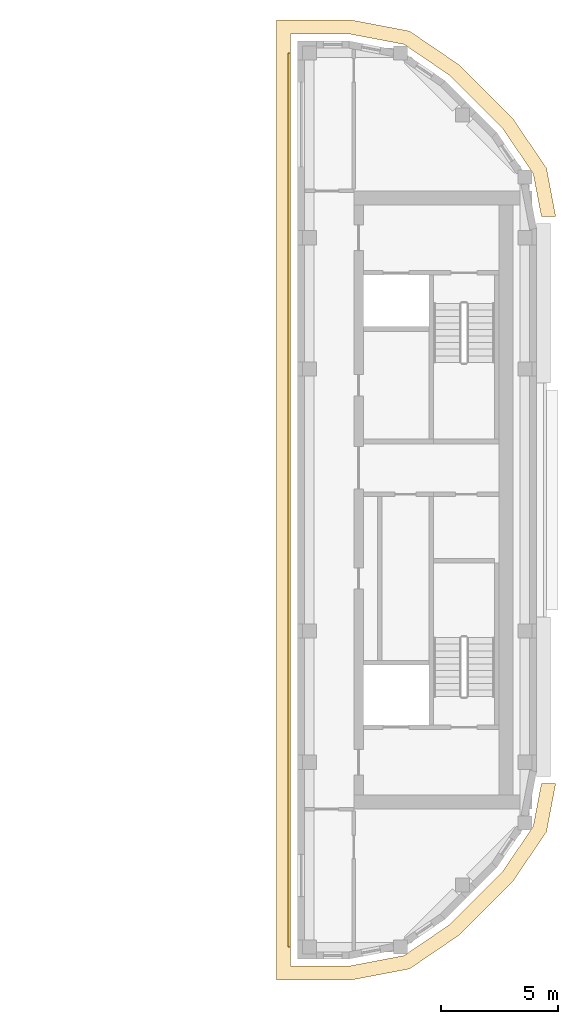
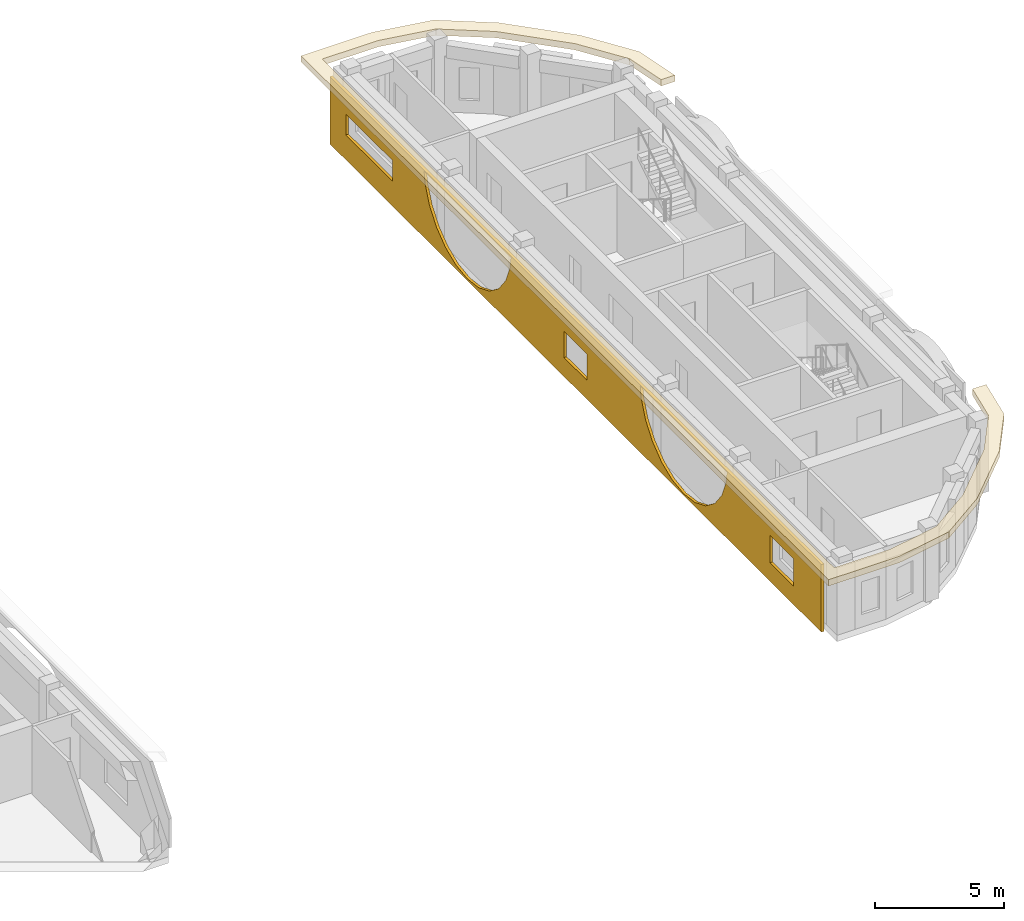
# One storey, part 10 of 12: 2 coverings.
"""IFC4 building model written with IfcOpenShell, lengths in metres."""

from ifc_helpers import new_model, si_unit, direction, frame, origin, place, context, subcontext, project, spatial, polyline, outline, extrude, material, layer, layer_set, type_object, element, save


model = new_model("IFC4")

# Units and contexts
model_context = context("Model", 3, precision=1e-05, world=origin(), true_north=direction((0.0, 1.0)))
body_context = subcontext(model_context, "Body", "Model", "MODEL_VIEW")
ifc_project = project(units=[si_unit("LENGTHUNIT", "METRE"), si_unit("AREAUNIT", "SQUARE_METRE"), si_unit("VOLUMEUNIT", "CUBIC_METRE"), si_unit("PLANEANGLEUNIT", "RADIAN"), si_unit("MASSUNIT", "GRAM", prefix="KILO")], contexts=[model_context])

# Site, building, storey
site_placement = place(None, origin())
site = spatial("IfcSite", under=ifc_project, at=site_placement, CompositionType="ELEMENT")
building_placement = place(site_placement, origin())
building = spatial("IfcBuilding", under=site, at=building_placement, Name="Kiln Ring Residences", CompositionType="ELEMENT")
storey_placement = place(building_placement, frame((0.0, 0.0, 306.89990234375)))
storey = spatial("IfcBuildingStorey", under=building, at=storey_placement, Name="L79 Crown", CompositionType="ELEMENT", Elevation=306.89990234375)

# Coverings
ifc_material_1 = material(Name="Brick masonry, dark clay brick", Category="masonry")
ifc_layer_1 = layer(ifc_material_1, 0.1201171875)
ifc_layer_set_1 = layer_set([ifc_layer_1], Name="RAINSCREEN PANEL 120")
covering_type_1 = type_object("IfcCoveringType", Name="RAINSCREEN PANEL 120", PredefinedType="CLADDING", material=ifc_layer_set_1)
covering_1_placement = place(storey_placement, frame((14.639892578125, 19.10009765625, 0.0), z_axis=(0.0, 0.0, 1.0), x_axis=(0.0, -1.0, 0.0)))
element("IfcCovering", 1, at=covering_1_placement, inside=storey, type_object=covering_type_1, Name="RAINSCREEN L79 Crown", PredefinedType="CLADDING", context=body_context, shape_type="SweptSolid", body=[
    extrude(outline(polyline([(0.0, 0.0), (38.199951171875, 0.0), (38.199951171875, 3.2001953125), (0.0, 3.2001953125), (0.0, 0.0)]), holes=[polyline([(18.199951171875, 0.900146484375), (20.0, 0.900146484375), (20.0, 2.150146484375), (18.199951171875, 2.150146484375), (18.199951171875, 0.900146484375)]), polyline([(34.217529296875, 0.880126953125), (36.0576171875, 0.880126953125), (36.0576171875, 2.170166015625), (34.217529296875, 2.170166015625), (34.217529296875, 0.880126953125)]), polyline([(1.242431640625, 1.18017578125), (4.882568359375, 1.18017578125), (4.882568359375, 2.170166015625), (1.242431640625, 2.170166015625), (1.242431640625, 1.18017578125)]), polyline([(12.409912109375, 0.538330078125), (13.118408203125, 1.081787109375), (13.661865234375, 1.7900390625), (14.00341796875, 2.614990234375), (14.073974609375, 3.150146484375), (7.326171875, 3.150146484375), (7.396484375, 2.614990234375), (7.73828125, 1.7900390625), (8.28173828125, 1.081787109375), (8.989990234375, 0.538330078125), (9.814697265625, 0.196533203125), (10.699951171875, 0.080078125), (11.585205078125, 0.196533203125), (12.409912109375, 0.538330078125)]), polyline([(29.2099609375, 0.538330078125), (29.918212890625, 1.081787109375), (30.4619140625, 1.7900390625), (30.803466796875, 2.614990234375), (30.873779296875, 3.150146484375), (24.126220703125, 3.150146484375), (24.196533203125, 2.614990234375), (24.5380859375, 1.7900390625), (25.081787109375, 1.081787109375), (25.7900390625, 0.538330078125), (26.61474609375, 0.196533203125), (27.5, 0.080078125), (28.38525390625, 0.196533203125), (29.2099609375, 0.538330078125)])]), frame((0.0, 0.06005859375, 0.0), z_axis=(0.0, -1.0, 0.0), x_axis=(1.0, 0.0, 0.0)), (0.0, 0.0, 1.0), 0.1201171875),
])
ifc_material_2 = material(Name="Black powder-coated steel", Category="steel")
ifc_layer_2 = layer(ifc_material_2, 0.300048828125)
ifc_layer_set_2 = layer_set([ifc_layer_2], Name="SUNSHADE FIN 600")
covering_type_2 = type_object("IfcCoveringType", Name="SUNSHADE FIN 600", PredefinedType="CLADDING", material=ifc_layer_set_2)
covering_2_placement = place(storey_placement, frame((0.0, 0.0, 3.2001953125)))
element("IfcCovering", 2, at=covering_2_placement, inside=storey, type_object=covering_type_2, Name="SUNSHADE FIN L79 Crown", PredefinedType="CLADDING", context=body_context, shape_type="SweptSolid", body=[
    extrude(outline(polyline([(19.77587890625, 20.02490234375), (17.28515625, 20.5), (14.10009765625, 20.5), (14.10009765625, -20.5), (17.28515625, -20.5), (19.77587890625, -20.02490234375), (21.873291015625, -18.599609375), (24.199462890625, -16.273193359375), (25.625, -14.176025390625), (26.02099609375, -12.10009765625), (25.409912109375, -12.10009765625), (25.058837890625, -13.94140625), (23.735107421875, -15.88916015625), (21.489013671875, -18.135009765625), (19.54150390625, -19.458740234375), (17.228515625, -19.89990234375), (14.699951171875, -19.89990234375), (14.699951171875, 19.89990234375), (17.228515625, 19.89990234375), (19.54150390625, 19.458740234375), (21.489013671875, 18.135009765625), (23.735107421875, 15.88916015625), (25.058837890625, 13.94140625), (25.409912109375, 12.10009765625), (26.02099609375, 12.10009765625), (25.625, 14.176025390625), (24.199462890625, 16.273193359375), (21.873291015625, 18.599609375), (19.77587890625, 20.02490234375)])), origin(), (0.0, 0.0, 1.0), 0.2998046875),
])

save(model, "model.ifc")
